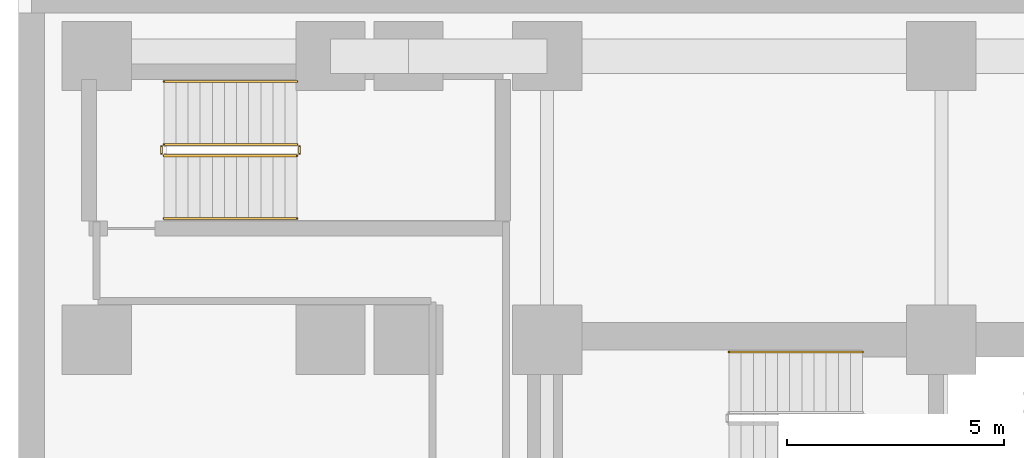
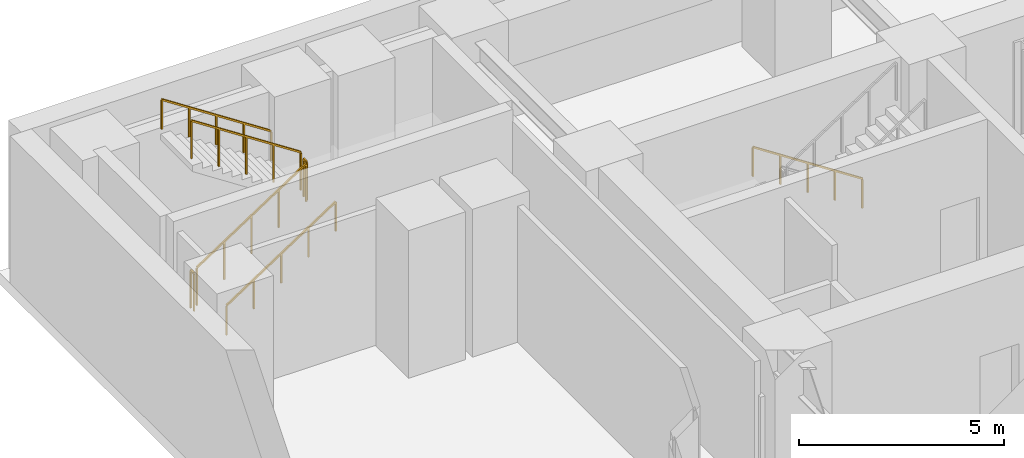
# One storey, part 7 of 8: 7 railings.
"""IFC4 building model written with IfcOpenShell, lengths in metres."""

from ifc_helpers import new_model, si_unit, direction, frame, origin, origin_2d, place, context, subcontext, project, spatial, rectangle, extrude, material, type_object, element, save


model = new_model("IFC4")

# Units and contexts
model_context = context("Model", 3, precision=1e-05, world=origin(), true_north=direction((0.0, 1.0)))
body_context = subcontext(model_context, "Body", "Model", "MODEL_VIEW")
ifc_project = project(units=[si_unit("LENGTHUNIT", "METRE"), si_unit("AREAUNIT", "SQUARE_METRE"), si_unit("VOLUMEUNIT", "CUBIC_METRE"), si_unit("PLANEANGLEUNIT", "RADIAN"), si_unit("MASSUNIT", "GRAM", prefix="KILO")], contexts=[model_context])

# Site, building, storey
site_placement = place(None, origin())
site = spatial("IfcSite", under=ifc_project, at=site_placement, CompositionType="ELEMENT")
building_placement = place(site_placement, origin())
building = spatial("IfcBuilding", under=site, at=building_placement, Name="Zarnavel Station Tower", CompositionType="ELEMENT")
storey_placement = place(building_placement, frame((0.0, 0.0, -4.39990234375)))
storey = spatial("IfcBuildingStorey", under=building, at=storey_placement, Name="B01", CompositionType="ELEMENT", Elevation=-4.39990234375)

# Railings
ifc_material_1 = material(Name="Painted Steel S355J2 Balustrade", Category="steel")
railing_type_1 = type_object("IfcRailingType", Name="GR_INT_1150", PredefinedType="GUARDRAIL", material=ifc_material_1)
railing_1_placement = place(storey_placement, frame((3.35009765625, 41.300048828125, 0.183349609375)))
element("IfcRailing", 1, at=railing_1_placement, inside=storey, type_object=railing_type_1, Name="B01 ST4 stair guard 1", PredefinedType="GUARDRAIL", context=body_context, shape_type="SweptSolid", body=[
    extrude(rectangle(XDim=0.048095703125, YDim=0.048095703125, at=origin_2d()), frame((0.001708984375, 0.0, 1.126953125), z_axis=(0.836613101238, 0.0, 0.547794230379), x_axis=(0.0, 1.0, 0.0)), (0.0, 0.0, 1.0), 3.67724609375),
    extrude(rectangle(XDim=0.0419921875, YDim=0.0419921875, at=origin_2d()), origin(), (0.0, 0.0, 1.0), 1.101806640625),
    extrude(rectangle(XDim=0.0419921875, YDim=0.0419921875, at=origin_2d()), frame((0.77001953125, 0.0, 0.504150390625)), (0.0, 0.0, 1.0), 1.101806640625),
    extrude(rectangle(XDim=0.0419921875, YDim=0.0419921875, at=origin_2d()), frame((1.5400390625, 0.0, 1.00830078125)), (0.0, 0.0, 1.0), 1.101806640625),
    extrude(rectangle(XDim=0.0419921875, YDim=0.0419921875, at=origin_2d()), frame((2.309814453125, 0.0, 1.512451171875)), (0.0, 0.0, 1.0), 1.101806640625),
    extrude(rectangle(XDim=0.0419921875, YDim=0.0419921875, at=origin_2d()), frame((3.079833984375, 0.0, 2.0166015625)), (0.0, 0.0, 1.0), 1.101806640625),
])
railing_2_placement = place(storey_placement, frame((6.47998046875, 41.35009765625, 2.199951171875)))
element("IfcRailing", 2, at=railing_2_placement, inside=storey, type_object=railing_type_1, Name="B01 ST4 stair guard 2", PredefinedType="GUARDRAIL", context=body_context, shape_type="SweptSolid", body=[
    extrude(rectangle(XDim=0.048095703125, YDim=0.048095703125, at=origin_2d()), frame((0.0, 0.001953125, 1.1259765625), z_axis=(0.0, 1.0, 0.0), x_axis=(-1.0, 0.0, 0.0)), (0.0, 0.0, 1.0), 0.156005859375),
    extrude(rectangle(XDim=0.0419921875, YDim=0.0419921875, at=origin_2d()), origin(), (0.0, 0.0, 1.0), 1.101806640625),
    extrude(rectangle(XDim=0.0419921875, YDim=0.0419921875, at=origin_2d()), frame((0.0, 0.159912109375, 0.0)), (0.0, 0.0, 1.0), 1.101806640625),
])
railing_3_placement = place(storey_placement, frame((6.429931640625, 41.56005859375, 2.38330078125)))
element("IfcRailing", 3, at=railing_3_placement, inside=storey, type_object=railing_type_1, Name="B01 ST4 stair guard 3", PredefinedType="GUARDRAIL", context=body_context, shape_type="SweptSolid", body=[
    extrude(rectangle(XDim=0.048095703125, YDim=0.048095703125, at=origin_2d()), frame((-0.001708984375, 0.0, 1.126953125), z_axis=(-0.836613101238, 0.0, 0.547794230379), x_axis=(0.0, -1.0, 0.0)), (0.0, 0.0, 1.0), 3.67724609375),
    extrude(rectangle(XDim=0.0419921875, YDim=0.0419921875, at=origin_2d()), origin(), (0.0, 0.0, 1.0), 1.101806640625),
    extrude(rectangle(XDim=0.0419921875, YDim=0.0419921875, at=origin_2d()), frame((-0.77001953125, 0.0, 0.504150390625)), (0.0, 0.0, 1.0), 1.101806640625),
    extrude(rectangle(XDim=0.0419921875, YDim=0.0419921875, at=origin_2d()), frame((-1.5400390625, 0.0, 1.00830078125)), (0.0, 0.0, 1.0), 1.101806640625),
    extrude(rectangle(XDim=0.0419921875, YDim=0.0419921875, at=origin_2d()), frame((-2.309814453125, 0.0, 1.512451171875)), (0.0, 0.0, 1.0), 1.101806640625),
    extrude(rectangle(XDim=0.0419921875, YDim=0.0419921875, at=origin_2d()), frame((-3.079833984375, 0.0, 2.0166015625)), (0.0, 0.0, 1.0), 1.101806640625),
])
railing_4_placement = place(storey_placement, frame((3.300048828125, 41.35009765625, 0.0)))
element("IfcRailing", 4, at=railing_4_placement, inside=storey, type_object=railing_type_1, Name="B01 ST4 stair guard 4", PredefinedType="GUARDRAIL", context=body_context, shape_type="SweptSolid", body=[
    extrude(rectangle(XDim=0.048095703125, YDim=0.048095703125, at=origin_2d()), frame((0.0, 0.001953125, 1.1259765625), z_axis=(0.0, 1.0, 0.0), x_axis=(-1.0, 0.0, 0.0)), (0.0, 0.0, 1.0), 0.156005859375),
    extrude(rectangle(XDim=0.0419921875, YDim=0.0419921875, at=origin_2d()), origin(), (0.0, 0.0, 1.0), 1.101806640625),
    extrude(rectangle(XDim=0.0419921875, YDim=0.0419921875, at=origin_2d()), frame((0.0, 0.159912109375, 0.0)), (0.0, 0.0, 1.0), 1.101806640625),
])
ifc_material_2 = material(Name="Brushed Stainless Steel S355J2 Handrail", Category="steel")
railing_type_2 = type_object("IfcRailingType", Name="HR_STAIR_900", PredefinedType="HANDRAIL", material=ifc_material_2)
railing_5_placement = place(storey_placement, frame((19.47998046875, 36.77001953125, 0.183349609375)))
element("IfcRailing", 5, at=railing_5_placement, inside=storey, type_object=railing_type_2, Name="B01 ST1 stair handrail 1", PredefinedType="HANDRAIL", context=body_context, shape_type="SweptSolid", body=[
    extrude(rectangle(XDim=0.048095703125, YDim=0.048095703125, at=origin_2d()), frame((-0.001708984375, 0.0, 0.876953125), z_axis=(-0.836633000464, 0.0, 0.547763838287), x_axis=(0.0, -1.0, 0.0)), (0.0, 0.0, 1.0), 3.677490234375),
    extrude(rectangle(XDim=0.0419921875, YDim=0.0419921875, at=origin_2d()), origin(), (0.0, 0.0, 1.0), 0.851806640625),
    extrude(rectangle(XDim=0.0419921875, YDim=0.0419921875, at=origin_2d()), frame((-0.77001953125, 0.0, 0.504150390625)), (0.0, 0.0, 1.0), 0.851806640625),
    extrude(rectangle(XDim=0.0419921875, YDim=0.0419921875, at=origin_2d()), frame((-1.5400390625, 0.0, 1.00830078125)), (0.0, 0.0, 1.0), 0.851806640625),
    extrude(rectangle(XDim=0.0419921875, YDim=0.0419921875, at=origin_2d()), frame((-2.31005859375, 0.0, 1.512451171875)), (0.0, 0.0, 1.0), 0.851806640625),
    extrude(rectangle(XDim=0.0419921875, YDim=0.0419921875, at=origin_2d()), frame((-3.080078125, 0.0, 2.0166015625)), (0.0, 0.0, 1.0), 0.851806640625),
])
railing_6_placement = place(storey_placement, frame((3.35009765625, 39.85009765625, 0.183349609375)))
element("IfcRailing", 6, at=railing_6_placement, inside=storey, type_object=railing_type_2, Name="B01 ST4 stair handrail 1", PredefinedType="HANDRAIL", context=body_context, shape_type="SweptSolid", body=[
    extrude(rectangle(XDim=0.048095703125, YDim=0.048095703125, at=origin_2d()), frame((0.001708984375, 0.0, 0.876953125), z_axis=(0.836613101238, 0.0, 0.547794230379), x_axis=(0.0, 1.0, 0.0)), (0.0, 0.0, 1.0), 3.67724609375),
    extrude(rectangle(XDim=0.0419921875, YDim=0.0419921875, at=origin_2d()), origin(), (0.0, 0.0, 1.0), 0.851806640625),
    extrude(rectangle(XDim=0.0419921875, YDim=0.0419921875, at=origin_2d()), frame((0.77001953125, 0.0, 0.504150390625)), (0.0, 0.0, 1.0), 0.851806640625),
    extrude(rectangle(XDim=0.0419921875, YDim=0.0419921875, at=origin_2d()), frame((1.5400390625, 0.0, 1.00830078125)), (0.0, 0.0, 1.0), 0.851806640625),
    extrude(rectangle(XDim=0.0419921875, YDim=0.0419921875, at=origin_2d()), frame((2.309814453125, 0.0, 1.512451171875)), (0.0, 0.0, 1.0), 0.851806640625),
    extrude(rectangle(XDim=0.0419921875, YDim=0.0419921875, at=origin_2d()), frame((3.079833984375, 0.0, 2.0166015625)), (0.0, 0.0, 1.0), 0.851806640625),
])
railing_7_placement = place(storey_placement, frame((6.429931640625, 43.010009765625, 2.38330078125)))
element("IfcRailing", 7, at=railing_7_placement, inside=storey, type_object=railing_type_2, Name="B01 ST4 stair handrail 2", PredefinedType="HANDRAIL", context=body_context, shape_type="SweptSolid", body=[
    extrude(rectangle(XDim=0.048095703125, YDim=0.048095703125, at=origin_2d()), frame((-0.001708984375, 0.0, 0.876953125), z_axis=(-0.836613101238, 0.0, 0.547794230379), x_axis=(0.0, -1.0, 0.0)), (0.0, 0.0, 1.0), 3.67724609375),
    extrude(rectangle(XDim=0.0419921875, YDim=0.0419921875, at=origin_2d()), origin(), (0.0, 0.0, 1.0), 0.851806640625),
    extrude(rectangle(XDim=0.0419921875, YDim=0.0419921875, at=origin_2d()), frame((-0.77001953125, 0.0, 0.504150390625)), (0.0, 0.0, 1.0), 0.851806640625),
    extrude(rectangle(XDim=0.0419921875, YDim=0.0419921875, at=origin_2d()), frame((-1.5400390625, 0.0, 1.00830078125)), (0.0, 0.0, 1.0), 0.851806640625),
    extrude(rectangle(XDim=0.0419921875, YDim=0.0419921875, at=origin_2d()), frame((-2.309814453125, 0.0, 1.512451171875)), (0.0, 0.0, 1.0), 0.851806640625),
    extrude(rectangle(XDim=0.0419921875, YDim=0.0419921875, at=origin_2d()), frame((-3.079833984375, 0.0, 2.0166015625)), (0.0, 0.0, 1.0), 0.851806640625),
])

save(model, "model.ifc")
